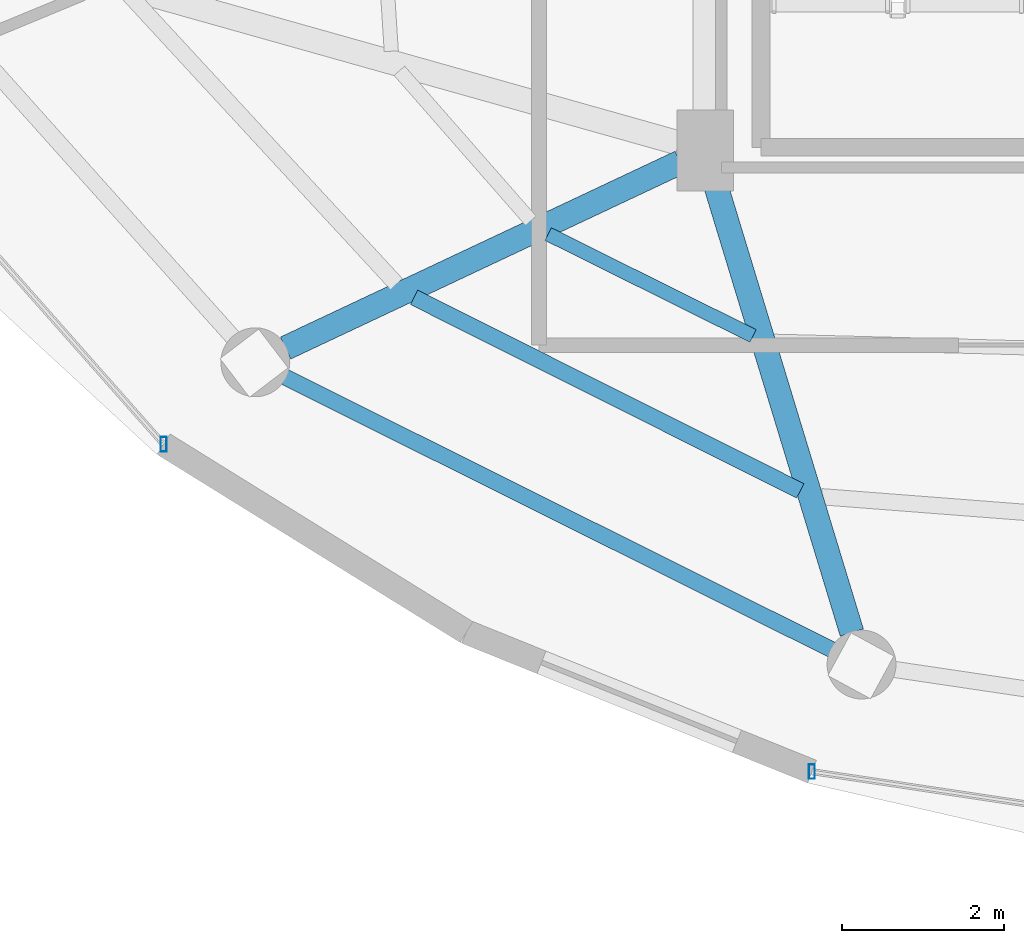
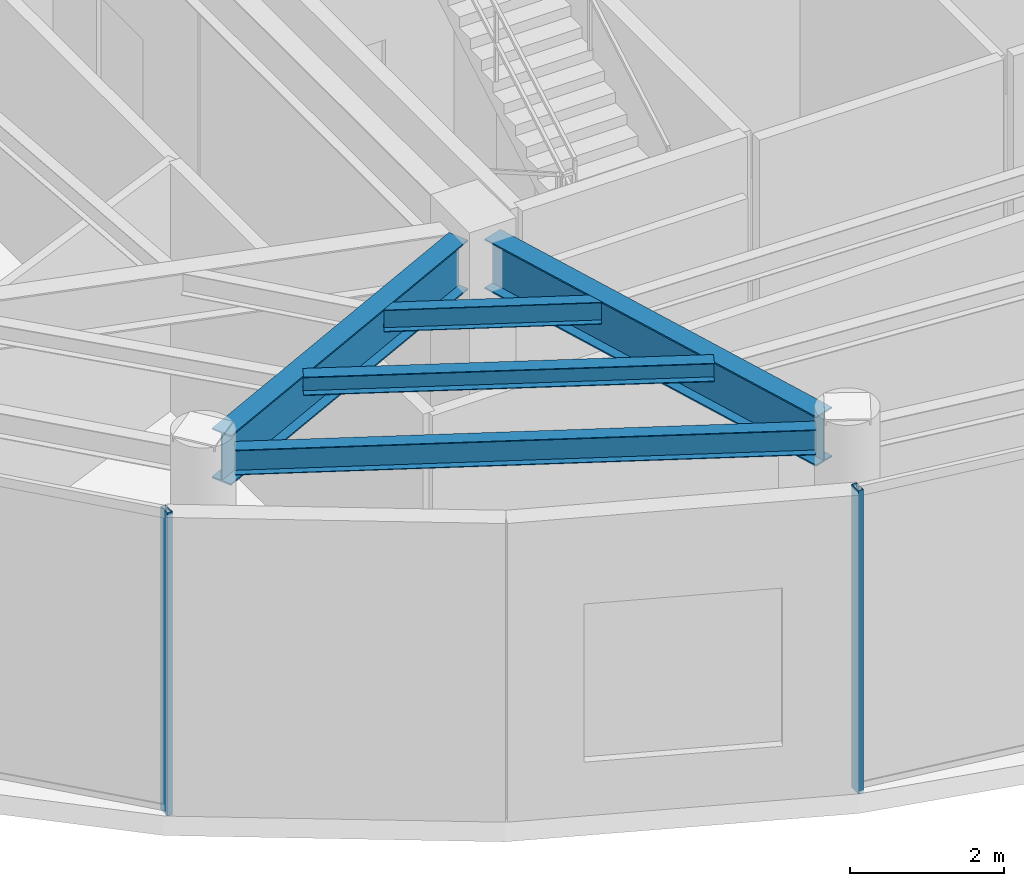
# One storey, part 2 of 24: 5 beams, 2 members, 2 elements without a shape of their own.
"""IFC4 building model written with IfcOpenShell, lengths in metres."""

from ifc_helpers import new_model, si_unit, direction, frame, origin, origin_2d, place, context, subcontext, project, spatial, hollow_rectangle, i_section, extrude, material, material_profile, profile_set, type_object, element, aggregate, save


model = new_model("IFC4")

# Units and contexts
model_context = context("Model", 3, precision=1e-05, world=origin(), true_north=direction((0.0, 1.0)))
body_context = subcontext(model_context, "Body", "Model", "MODEL_VIEW")
ifc_project = project(units=[si_unit("LENGTHUNIT", "METRE"), si_unit("AREAUNIT", "SQUARE_METRE"), si_unit("VOLUMEUNIT", "CUBIC_METRE"), si_unit("PLANEANGLEUNIT", "RADIAN"), si_unit("MASSUNIT", "GRAM", prefix="KILO")], contexts=[model_context])

# Site, building, storey
site_placement = place(None, origin())
site = spatial("IfcSite", under=ifc_project, at=site_placement, CompositionType="ELEMENT")
building_placement = place(site_placement, origin())
building = spatial("IfcBuilding", under=site, at=building_placement, Name="Vorneva Point Tower", CompositionType="ELEMENT")
storey_placement = place(building_placement, frame((0.0, 0.0, 290.39990234375)))
storey = spatial("IfcBuildingStorey", under=building, at=storey_placement, Name="L78", CompositionType="ELEMENT", Elevation=290.39990234375)

# Beams
ifc_material_1 = material(Name="Steel S355", Category="steel")
ifc_material_profile_1 = material_profile(ifc_material_1, i_section(OverallWidth=0.300048828125, OverallDepth=0.7880859375, WebThickness=0.014404296875, FlangeThickness=0.02197265625, at=origin_2d()), Name="80Sh1")
ifc_profile_set_1 = profile_set([ifc_material_profile_1], Name="Steel S355")
beam_type_1 = type_object("IfcBeamType", Name="BM-GRD-80Sh1", PredefinedType="USERDEFINED", material=ifc_profile_set_1)
beam_1_placement = place(storey_placement, frame((22.074951171875, 14.013671875, 4.326171875), z_axis=(0.904750812805, 0.425941271455, 0.0), x_axis=(-0.425941271455, 0.904750812805, 0.0)))
element("IfcBeam", 1, at=beam_1_placement, inside=storey, type_object=beam_type_1, Name="L78 Radial Primary Girder 11", ObjectType="GIRDER", PredefinedType="USERDEFINED", context=body_context, shape_type="SweptSolid", body=[
    extrude(i_section(OverallWidth=0.300048828125, OverallDepth=0.7880859375, WebThickness=0.014404296875, FlangeThickness=0.02197265625, at=origin_2d()), origin(), (0.0, 0.0, 1.0), 5.3798828125),
])
beam_2_placement = place(storey_placement, frame((29.058837890625, 10.50439453125, 4.326171875), z_axis=(-0.291032624293, 0.956713129207, 0.0), x_axis=(-0.956713129207, -0.291032624293, 0.0)))
element("IfcBeam", 2, at=beam_2_placement, inside=storey, type_object=beam_type_1, Name="L78 Radial Primary Girder 12", ObjectType="GIRDER", PredefinedType="USERDEFINED", context=body_context, shape_type="SweptSolid", body=[
    extrude(i_section(OverallWidth=0.300048828125, OverallDepth=0.7880859375, WebThickness=0.014404296875, FlangeThickness=0.02197265625, at=origin_2d()), origin(), (0.0, 0.0, 1.0), 5.874755859375),
])
ifc_material_profile_2 = material_profile(ifc_material_1, i_section(OverallWidth=0.199951171875, OverallDepth=0.291015625, WebThickness=0.008056640625, FlangeThickness=0.010986328125, at=origin_2d()), Name="30Sh1")
ifc_profile_set_2 = profile_set([ifc_material_profile_2], Name="Steel S355")
beam_type_2 = type_object("IfcBeamType", Name="BM-SEC-30Sh1", PredefinedType="BEAM", material=ifc_profile_set_2)
beam_3_placement = place(storey_placement, frame((23.658447265625, 14.639404296875, 4.57470703125), z_axis=(0.894042010331, -0.447983128883, 0.0), x_axis=(0.447983128883, 0.894042010331, 0.0)))
element("IfcBeam", 3, at=beam_3_placement, inside=storey, type_object=beam_type_2, Name="L78 Secondary Floor Beam 1.11", PredefinedType="BEAM", context=body_context, shape_type="SweptSolid", body=[
    extrude(i_section(OverallWidth=0.199951171875, OverallDepth=0.291015625, WebThickness=0.008056640625, FlangeThickness=0.010986328125, at=origin_2d()), origin(), (0.0, 0.0, 1.0), 5.328857421875),
])
ifc_material_profile_3 = material_profile(ifc_material_1, i_section(OverallWidth=0.174072265625, OverallDepth=0.345947265625, WebThickness=0.006103515625, FlangeThickness=0.009033203125, at=origin_2d()), Name="35B1")
ifc_profile_set_3 = profile_set([ifc_material_profile_3], Name="Steel S355")
beam_type_3 = type_object("IfcBeamType", Name="BM-SEC-35B1", PredefinedType="BEAM", material=ifc_profile_set_3)
beam_4_placement = place(storey_placement, frame((25.313720703125, 15.418701171875, 4.547119140625), z_axis=(0.895531752864, -0.444997617536, 0.0), x_axis=(0.444997617536, 0.895531752864, 0.0)))
element("IfcBeam", 4, at=beam_4_placement, inside=storey, type_object=beam_type_3, Name="L78 Secondary Floor Beam 2.11", PredefinedType="BEAM", context=body_context, shape_type="SweptSolid", body=[
    extrude(i_section(OverallWidth=0.174072265625, OverallDepth=0.345947265625, WebThickness=0.006103515625, FlangeThickness=0.009033203125, at=origin_2d()), origin(), (0.0, 0.0, 1.0), 2.822265625),
])
ifc_material_profile_4 = material_profile(ifc_material_1, i_section(OverallWidth=0.198974609375, OverallDepth=0.39599609375, WebThickness=0.007080078125, FlangeThickness=0.010986328125, at=origin_2d()), Name="40B1")
ifc_profile_set_4 = profile_set([ifc_material_profile_4], Name="Steel S355")
beam_type_4 = type_object("IfcBeamType", Name="BM-SPN-40B1", PredefinedType="SPANDREL", material=ifc_profile_set_4)
beam_5_placement = place(storey_placement, frame((22.068115234375, 13.65478515625, 4.522216796875), z_axis=(0.894932011528, -0.446202526599, 0.0), x_axis=(0.446202526599, 0.894932011528, 0.0)))
element("IfcBeam", 5, at=beam_5_placement, inside=storey, type_object=beam_type_4, Name="L78 Perimeter Spandrel Ring Beam 11", PredefinedType="SPANDREL", context=body_context, shape_type="SweptSolid", body=[
    extrude(i_section(OverallWidth=0.198974609375, OverallDepth=0.39599609375, WebThickness=0.007080078125, FlangeThickness=0.010986328125, at=origin_2d()), origin(), (0.0, 0.0, 1.0), 7.535888671875),
])

# Curtain wall, member
ifc_material_2 = material(Name="Pale anodised aluminium", Category="aluminium")
curtain_wall_type = type_object("IfcCurtainWallType", Name="CW-OBS-SYS", PredefinedType="NOTDEFINED", material=ifc_material_2)
curtain_wall_1_placement = place(storey_placement, origin())
curtain_wall_1 = element("IfcCurtainWall", 6, at=curtain_wall_1_placement, inside=storey, type_object=curtain_wall_type, Name="L78 Unitised Curtain Wall CW-L78-R03", PredefinedType="NOTDEFINED")
ifc_material_profile_5 = material_profile(ifc_material_2, hollow_rectangle(XDim=0.074951171875, YDim=0.179931640625, WallThickness=0.00390625, at=origin_2d()), Name="AL-MUL 180x75x4")
ifc_profile_set_5 = profile_set([ifc_material_profile_5], Name="Pale anodised aluminium")
member_type = type_object("IfcMemberType", Name="CW-MUL-180", PredefinedType="MULLION", material=ifc_profile_set_5)
member_1_placement = place(storey_placement, frame((20.56982421875, 12.82666015625, -0.039794921875), z_axis=(0.0, 0.0, 1.0), x_axis=(1.0, 0.0, 0.0)))
member_1 = element("IfcMember", 7, at=member_1_placement, type_object=member_type, Name="CW-L78-R03 Mullion 04", PredefinedType="MULLION", context=body_context, shape_type="SweptSolid", body=[
    extrude(hollow_rectangle(XDim=0.074951171875, YDim=0.179931640625, WallThickness=0.00390625, at=origin_2d()), origin(), (0.0, 0.0, 1.0), 4.789794921875),
])
aggregate(curtain_wall_1, [member_1])

curtain_wall_2_placement = place(storey_placement, origin())
curtain_wall_2 = element("IfcCurtainWall", 8, at=curtain_wall_2_placement, inside=storey, type_object=curtain_wall_type, Name="L78 Unitised Curtain Wall CW-L78-R04", PredefinedType="NOTDEFINED")
member_2_placement = place(storey_placement, frame((28.56689453125, 8.7880859375, -0.039794921875), z_axis=(0.0, 0.0, 1.0), x_axis=(1.0, 0.0, 0.0)))
member_2 = element("IfcMember", 9, at=member_2_placement, type_object=member_type, Name="CW-L78-R04 Mullion 01", PredefinedType="MULLION", context=body_context, shape_type="SweptSolid", body=[
    extrude(hollow_rectangle(XDim=0.074951171875, YDim=0.179931640625, WallThickness=0.00390625, at=origin_2d()), origin(), (0.0, 0.0, 1.0), 4.789794921875),
])
aggregate(curtain_wall_2, [member_2])

save(model, "model.ifc")
